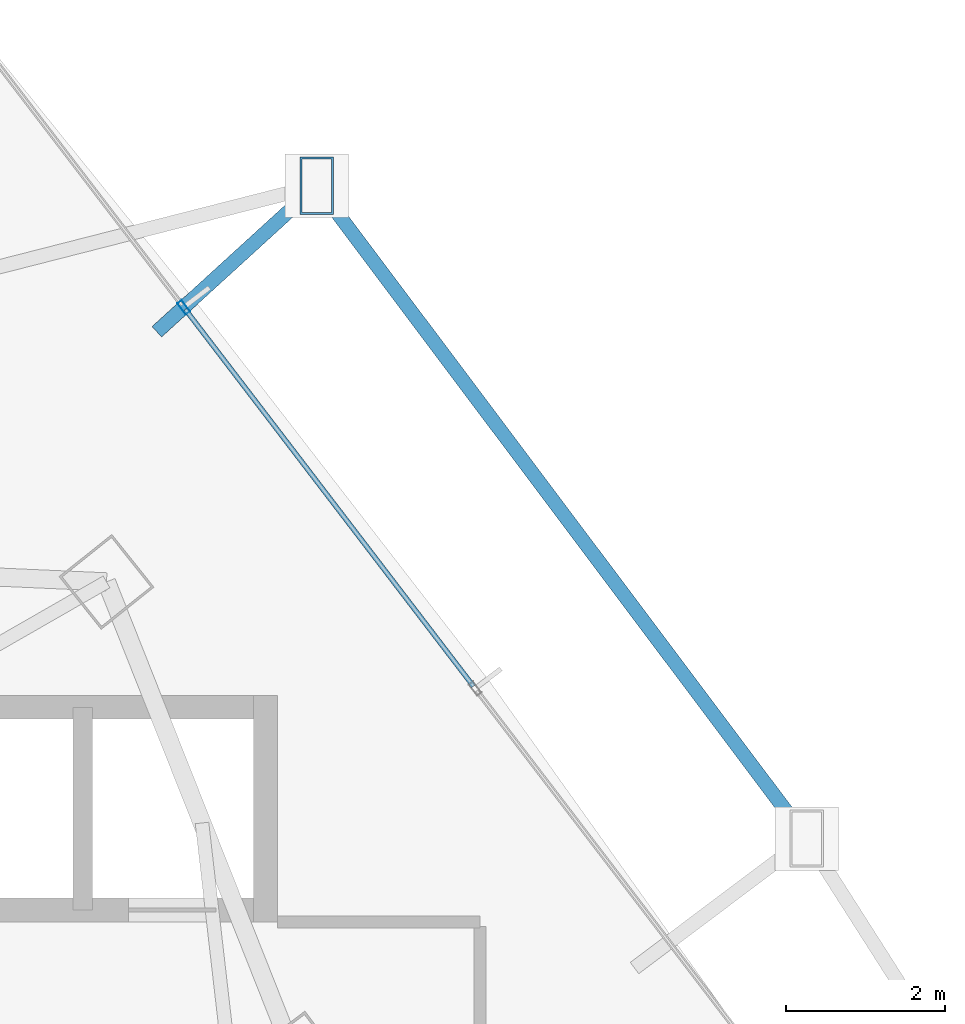
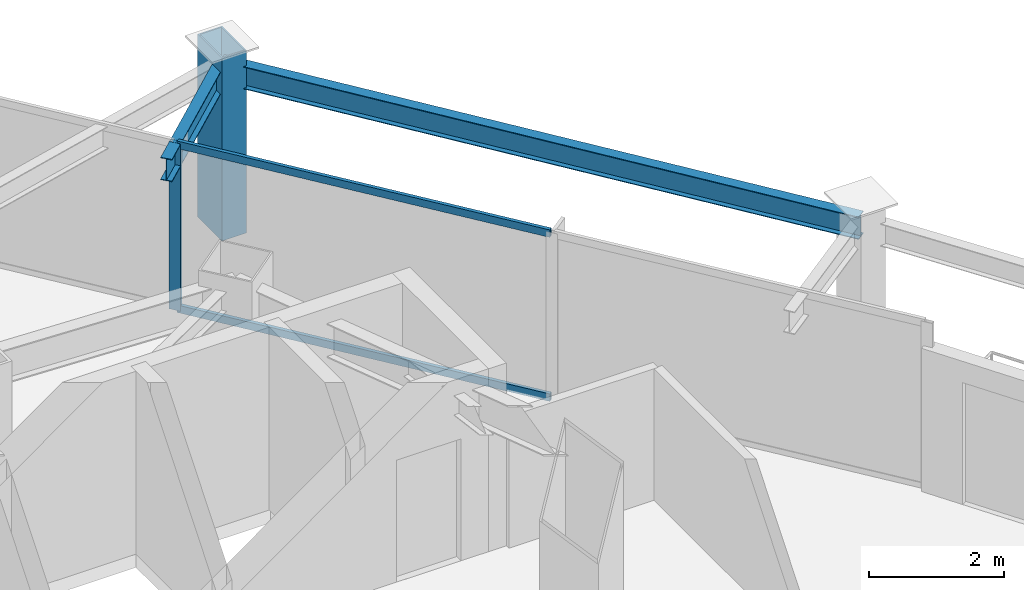
# One storey, part 26 of 33: 4 members, 2 beams, 1 element without a shape of its own.
"""IFC4 building model written with IfcOpenShell, lengths in metres."""

from ifc_helpers import new_model, si_unit, direction, frame, origin, origin_2d, place, context, subcontext, project, spatial, hollow_rectangle, i_section, extrude, material, layer, layer_set, material_profile, profile_set, type_object, element, aggregate, save


model = new_model("IFC4")

# Units and contexts
model_context = context("Model", 3, precision=1e-05, world=origin(), true_north=direction((0.0, 1.0)))
body_context = subcontext(model_context, "Body", "Model", "MODEL_VIEW")
ifc_project = project(units=[si_unit("LENGTHUNIT", "METRE"), si_unit("AREAUNIT", "SQUARE_METRE"), si_unit("VOLUMEUNIT", "CUBIC_METRE"), si_unit("PLANEANGLEUNIT", "RADIAN"), si_unit("MASSUNIT", "GRAM", prefix="KILO")], contexts=[model_context])

# Site, building, storey
site_placement = place(None, origin())
site = spatial("IfcSite", under=ifc_project, at=site_placement, CompositionType="ELEMENT")
building_placement = place(site_placement, origin())
building = spatial("IfcBuilding", under=site, at=building_placement, Name="Orvanel Arch Residences", CompositionType="ELEMENT")
storey_placement = place(building_placement, frame((0.0, 0.0, 93.949951171875)))
storey = spatial("IfcBuildingStorey", under=building, at=storey_placement, Name="L26", CompositionType="ELEMENT", Elevation=93.949951171875)

# Member
ifc_material_1 = material(Name="Structural steel AS/NZS 3678 Grade 350", Category="steel")
ifc_material_profile_1 = material_profile(ifc_material_1, hollow_rectangle(XDim=0.419921875, YDim=0.719970703125, WallThickness=0.02490234375, at=origin_2d()), Name="RHS720x420x25")
ifc_profile_set_1 = profile_set([ifc_material_profile_1], Name="Structural steel AS/NZS 3678 Grade 350")
member_type_1 = type_object("IfcMemberType", Name="CH-720RHS-EXT", PredefinedType="CHORD", material=ifc_profile_set_1)
member_1_placement = place(storey_placement, frame((40.595947265625, 46.162109375, 0.0), z_axis=(0.0, 0.0, 1.0), x_axis=(1.0, 0.0, 0.0)))
element("IfcMember", 1, at=member_1_placement, inside=storey, type_object=member_type_1, Name="L26 Outer Perimeter Frame Post 12", PredefinedType="CHORD", context=body_context, shape_type="SweptSolid", body=[
    extrude(hollow_rectangle(XDim=0.419921875, YDim=0.719970703125, WallThickness=0.02490234375, at=origin_2d()), origin(), (0.0, 0.0, 1.0), 3.300048828125),
])

# Curtain wall, member
ifc_material_2 = material(Name="Bronze-anodised aluminium AA6063-T6", Category="aluminium")
ifc_layer = layer(ifc_material_2, 0.179931640625)
ifc_layer_set = layer_set([ifc_layer], Name="Bronze-anodised aluminium AA6063-T6")
curtain_wall_type = type_object("IfcCurtainWallType", Name="CW2-LOW-SYS", PredefinedType="NOTDEFINED", material=ifc_layer_set)
curtain_wall_placement = place(storey_placement, origin())
curtain_wall = element("IfcCurtainWall", 2, at=curtain_wall_placement, inside=storey, type_object=curtain_wall_type, Name="L26 CW2-LOW-SYS Unitised Curtain Wall", PredefinedType="NOTDEFINED")
ifc_material_profile_2 = material_profile(ifc_material_2, hollow_rectangle(XDim=0.070068359375, YDim=0.179931640625, WallThickness=0.00439453125, at=origin_2d()), Name="ALU180x70x4.5")
ifc_profile_set_2 = profile_set([ifc_material_profile_2], Name="Bronze-anodised aluminium AA6063-T6")
member_type_2 = type_object("IfcMemberType", Name="MUL-180x70", PredefinedType="MULLION", material=ifc_profile_set_2)
member_2_placement = place(storey_placement, frame((38.9208984375, 44.63330078125, 0.0), z_axis=(0.0, 0.0, 1.0), x_axis=(-0.794440878404, -0.607341494318, 0.0)))
member_2 = element("IfcMember", 3, at=member_2_placement, type_object=member_type_2, Name="CW-S2 mullion 3", PredefinedType="MULLION", context=body_context, shape_type="SweptSolid", body=[
    extrude(hollow_rectangle(XDim=0.070068359375, YDim=0.179931640625, WallThickness=0.00439453125, at=origin_2d()), origin(), (0.0, 0.0, 1.0), 3.02001953125),
])

# Beams
ifc_material_3 = material(Name="Structural steel AS/NZS 3679.1 Grade 300 (300 MPa)", Category="steel")
ifc_material_profile_3 = material_profile(ifc_material_3, i_section(OverallWidth=0.177978515625, OverallDepth=0.406005859375, WebThickness=0.0078125, FlangeThickness=0.0126953125, at=origin_2d()), Name="410UB59.7")
ifc_profile_set_3 = profile_set([ifc_material_profile_3], Name="Structural steel AS/NZS 3679.1 Grade 300 (300 MPa)")
beam_type = type_object("IfcBeamType", Name="OB-410UB-EXT", PredefinedType="SPANDREL", material=ifc_profile_set_3)
beam_1_placement = place(storey_placement, frame((46.760986328125, 37.947998046875, 2.817138671875), z_axis=(-0.600277614844, 0.799791713584, 0.0), x_axis=(-0.799791713584, -0.600277614844, 0.0)))
element("IfcBeam", 4, at=beam_1_placement, inside=storey, type_object=beam_type, Name="L26 Outer Perimeter Floor Ring Beam 11", PredefinedType="SPANDREL", context=body_context, shape_type="SweptSolid", body=[
    extrude(i_section(OverallWidth=0.177978515625, OverallDepth=0.406005859375, WebThickness=0.0078125, FlangeThickness=0.0126953125, at=origin_2d()), origin(), (0.0, 0.0, 1.0), 10.270263671875),
])
beam_2_placement = place(storey_placement, frame((38.5830078125, 44.324951171875, 2.817138671875), z_axis=(0.738621240492, 0.674120659151, 0.0), x_axis=(-0.674120659151, 0.738621240492, 0.0)))
element("IfcBeam", 5, at=beam_2_placement, inside=storey, type_object=beam_type, Name="L26 Outer Frame Radial Tie Beam 12", PredefinedType="SPANDREL", context=body_context, shape_type="SweptSolid", body=[
    extrude(i_section(OverallWidth=0.177978515625, OverallDepth=0.406005859375, WebThickness=0.0078125, FlangeThickness=0.0126953125, at=origin_2d()), origin(), (0.0, 0.0, 1.0), 2.725341796875),
])

# Member
ifc_material_profile_4 = material_profile(ifc_material_2, hollow_rectangle(XDim=0.06005859375, YDim=0.135009765625, WallThickness=0.00390625, at=origin_2d()), Name="ALU135x60x4")
ifc_profile_set_4 = profile_set([ifc_material_profile_4], Name="Bronze-anodised aluminium AA6063-T6")
member_type_3 = type_object("IfcMemberType", Name="TRN-135x60", PredefinedType="USERDEFINED", material=ifc_profile_set_4)
member_3_placement = place(storey_placement, frame((42.566650390625, 39.864501953125, 0.030029296875), z_axis=(-0.607351400557, 0.794433305093, 0.0), x_axis=(-0.794433305093, -0.607351400557, 0.0)))
member_3 = element("IfcMember", 6, at=member_3_placement, type_object=member_type_3, Name="CW-S2 transom 2.1", ObjectType="TRANSOM", PredefinedType="USERDEFINED", context=body_context, shape_type="SweptSolid", body=[
    extrude(hollow_rectangle(XDim=0.06005859375, YDim=0.135009765625, WallThickness=0.00390625, at=origin_2d()), origin(), (0.0, 0.0, 1.0), 5.9677734375),
])

member_4_placement = place(storey_placement, frame((42.566650390625, 39.864501953125, 2.989990234375), z_axis=(-0.607351400557, 0.794433305093, 0.0), x_axis=(-0.794433305093, -0.607351400557, 0.0)))
member_4 = element("IfcMember", 7, at=member_4_placement, type_object=member_type_3, Name="CW-S2 transom 2.2", ObjectType="TRANSOM", PredefinedType="USERDEFINED", context=body_context, shape_type="SweptSolid", body=[
    extrude(hollow_rectangle(XDim=0.06005859375, YDim=0.135009765625, WallThickness=0.00390625, at=origin_2d()), origin(), (0.0, 0.0, 1.0), 5.9677734375),
])

aggregate(curtain_wall, [member_2, member_3, member_4])

save(model, "model.ifc")
